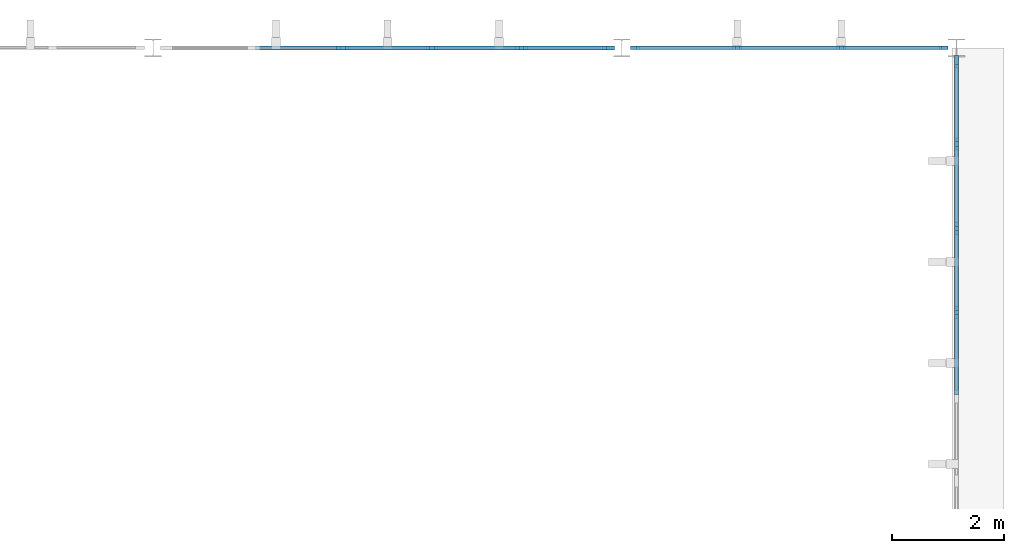
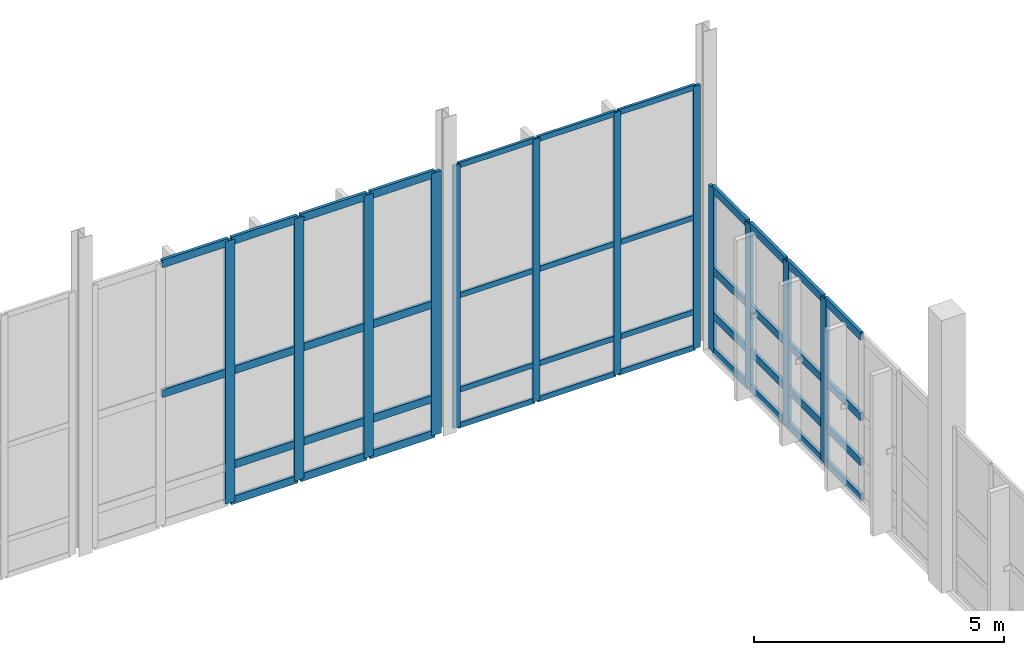
# One storey, part 32 of 67: 54 members, 3 elements without a shape of their own.
"""IFC4 building model written with IfcOpenShell, lengths in metres."""

from ifc_helpers import new_model, si_unit, direction, frame, origin, origin_2d, place, context, subcontext, project, spatial, rectangle, extrude, material, material_profile, profile_set, type_object, element, aggregate, save


model = new_model("IFC4")

# Units and contexts
model_context = context("Model", 3, precision=1e-05, world=origin(), true_north=direction((0.0, 1.0)))
body_context = subcontext(model_context, "Body", "Model", "MODEL_VIEW")
ifc_project = project(units=[si_unit("LENGTHUNIT", "METRE"), si_unit("AREAUNIT", "SQUARE_METRE"), si_unit("VOLUMEUNIT", "CUBIC_METRE"), si_unit("PLANEANGLEUNIT", "RADIAN"), si_unit("MASSUNIT", "GRAM", prefix="KILO")], contexts=[model_context])

# Site, building, storey
site_placement = place(None, origin())
site = spatial("IfcSite", under=ifc_project, at=site_placement, CompositionType="ELEMENT")
building_placement = place(site_placement, origin())
building = spatial("IfcBuilding", under=site, at=building_placement, Name="Tizgana Railside Sports Hall", CompositionType="ELEMENT")
storey_placement = place(building_placement, frame((0.0, 0.0, 12.0)))
storey = spatial("IfcBuildingStorey", under=building, at=storey_placement, Name="L02", CompositionType="ELEMENT", Elevation=12.0)

# Curtain wall, members
ifc_material_1 = material(Name="Anodised aluminium and glass", Category="aluminium")
curtain_wall_type_1 = type_object("IfcCurtainWallType", Name="Unitised Curtain Wall EastHall 1500", PredefinedType="NOTDEFINED", material=ifc_material_1)
curtain_wall_1_placement = place(storey_placement, origin())
curtain_wall_1 = element("IfcCurtainWall", 1, at=curtain_wall_1_placement, inside=storey, type_object=curtain_wall_type_1, Name="L02 Curtain Wall CW-0055", PredefinedType="NOTDEFINED")
ifc_material_2 = material(Name="Anodised aluminium", Category="aluminium")
ifc_material_profile_1 = material_profile(ifc_material_2, rectangle(XDim=0.06005859375, YDim=0.159912109375, at=origin_2d()), Name="Mullion 60x160")
ifc_profile_set_1 = profile_set([ifc_material_profile_1], Name="Anodised aluminium")
member_type_1 = type_object("IfcMemberType", Name="Mullion 60x160", PredefinedType="MULLION", material=ifc_profile_set_1)
member_1_placement = place(storey_placement, frame((166.43505859375, 117.60009765625, 0.0), z_axis=(0.0, 0.0, 1.0), x_axis=(0.0, 1.0, 0.0)))
member_1 = element("IfcMember", 2, at=member_1_placement, type_object=member_type_1, Name="CW-08 mullion 1", PredefinedType="MULLION", context=body_context, shape_type="SweptSolid", body=[
    extrude(rectangle(XDim=0.06005859375, YDim=0.159912109375, at=origin_2d()), origin(), (0.0, 0.0, 1.0), 6.39990234375),
])
member_2_placement = place(storey_placement, frame((168.268310546875, 117.60009765625, 0.0), z_axis=(0.0, 0.0, 1.0), x_axis=(0.0, 1.0, 0.0)))
member_2 = element("IfcMember", 3, at=member_2_placement, type_object=member_type_1, Name="CW-08 mullion 2", PredefinedType="MULLION", context=body_context, shape_type="SweptSolid", body=[
    extrude(rectangle(XDim=0.06005859375, YDim=0.159912109375, at=origin_2d()), origin(), (0.0, 0.0, 1.0), 6.39990234375),
])
member_3_placement = place(storey_placement, frame((170.131591796875, 117.60009765625, 0.0), z_axis=(0.0, 0.0, 1.0), x_axis=(0.0, 1.0, 0.0)))
member_3 = element("IfcMember", 4, at=member_3_placement, type_object=member_type_1, Name="CW-08 mullion 3", PredefinedType="MULLION", context=body_context, shape_type="SweptSolid", body=[
    extrude(rectangle(XDim=0.06005859375, YDim=0.159912109375, at=origin_2d()), origin(), (0.0, 0.0, 1.0), 6.39990234375),
])
member_4_placement = place(storey_placement, frame((171.965087890625, 117.60009765625, 0.0), z_axis=(0.0, 0.0, 1.0), x_axis=(0.0, 1.0, 0.0)))
member_4 = element("IfcMember", 5, at=member_4_placement, type_object=member_type_1, Name="CW-08 mullion 4", PredefinedType="MULLION", context=body_context, shape_type="SweptSolid", body=[
    extrude(rectangle(XDim=0.06005859375, YDim=0.159912109375, at=origin_2d()), origin(), (0.0, 0.0, 1.0), 6.39990234375),
])

curtain_wall_type_2 = type_object("IfcCurtainWallType", Name="Unitised Curtain Wall Clinic 1200", PredefinedType="NOTDEFINED", material=ifc_material_1)
curtain_wall_2_placement = place(storey_placement, origin())
curtain_wall_2 = element("IfcCurtainWall", 6, at=curtain_wall_2_placement, inside=storey, type_object=curtain_wall_type_2, Name="L02 Curtain Wall CW-0052", PredefinedType="NOTDEFINED")
ifc_material_profile_2 = material_profile(ifc_material_2, rectangle(XDim=0.070068359375, YDim=0.219970703125, at=origin_2d()), Name="Mullion 70x220")
ifc_profile_set_2 = profile_set([ifc_material_profile_2], Name="Anodised aluminium")
member_type_2 = type_object("IfcMemberType", Name="Mullion 70x220", PredefinedType="MULLION", material=ifc_profile_set_2)
member_5_placement = place(storey_placement, frame((161.200927734375, 117.60009765625, 0.0), z_axis=(0.0, 0.0, 1.0), x_axis=(0.0, 1.0, 0.0)))
member_5 = element("IfcMember", 7, at=member_5_placement, type_object=member_type_2, Name="CW-05 mullion 3", PredefinedType="MULLION", context=body_context, shape_type="SweptSolid", body=[
    extrude(rectangle(XDim=0.070068359375, YDim=0.219970703125, at=origin_2d()), origin(), (0.0, 0.0, 1.0), 6.39990234375),
])
member_6_placement = place(storey_placement, frame((162.799072265625, 117.60009765625, 0.0), z_axis=(0.0, 0.0, 1.0), x_axis=(0.0, 1.0, 0.0)))
member_6 = element("IfcMember", 8, at=member_6_placement, type_object=member_type_2, Name="CW-05 mullion 4", PredefinedType="MULLION", context=body_context, shape_type="SweptSolid", body=[
    extrude(rectangle(XDim=0.070068359375, YDim=0.219970703125, at=origin_2d()), origin(), (0.0, 0.0, 1.0), 6.39990234375),
])
member_7_placement = place(storey_placement, frame((164.39697265625, 117.60009765625, 0.0), z_axis=(0.0, 0.0, 1.0), x_axis=(0.0, 1.0, 0.0)))
member_7 = element("IfcMember", 9, at=member_7_placement, type_object=member_type_2, Name="CW-05 mullion 5", PredefinedType="MULLION", context=body_context, shape_type="SweptSolid", body=[
    extrude(rectangle(XDim=0.070068359375, YDim=0.219970703125, at=origin_2d()), origin(), (0.0, 0.0, 1.0), 6.39990234375),
])
member_8_placement = place(storey_placement, frame((165.9599609375, 117.60009765625, 0.0), z_axis=(0.0, 0.0, 1.0), x_axis=(0.0, 1.0, 0.0)))
member_8 = element("IfcMember", 10, at=member_8_placement, type_object=member_type_2, Name="CW-05 mullion 6", PredefinedType="MULLION", context=body_context, shape_type="SweptSolid", body=[
    extrude(rectangle(XDim=0.070068359375, YDim=0.219970703125, at=origin_2d()), origin(), (0.0, 0.0, 1.0), 6.39990234375),
])

curtain_wall_type_3 = type_object("IfcCurtainWallType", Name="Unitised Curtain Wall WestHall 1560", PredefinedType="NOTDEFINED", material=ifc_material_1)
curtain_wall_3_placement = place(storey_placement, origin())
curtain_wall_3 = element("IfcCurtainWall", 11, at=curtain_wall_3_placement, inside=storey, type_object=curtain_wall_type_3, Name="L02 Curtain Wall CW-0070", PredefinedType="NOTDEFINED")
member_9_placement = place(storey_placement, frame((172.199951171875, 112.857421875, 0.0), z_axis=(0.0, 0.0, 1.0), x_axis=(-1.0, 0.0, 0.0)))
member_9 = element("IfcMember", 12, at=member_9_placement, type_object=member_type_2, Name="CW-07 mullion 4", PredefinedType="MULLION", context=body_context, shape_type="SweptSolid", body=[
    extrude(rectangle(XDim=0.070068359375, YDim=0.219970703125, at=origin_2d()), origin(), (0.0, 0.0, 1.0), 4.0),
])
member_10_placement = place(storey_placement, frame((172.199951171875, 114.36669921875, 0.0), z_axis=(0.0, 0.0, 1.0), x_axis=(-1.0, 0.0, 0.0)))
member_10 = element("IfcMember", 13, at=member_10_placement, type_object=member_type_2, Name="CW-07 mullion 5", PredefinedType="MULLION", context=body_context, shape_type="SweptSolid", body=[
    extrude(rectangle(XDim=0.070068359375, YDim=0.219970703125, at=origin_2d()), origin(), (0.0, 0.0, 1.0), 4.0),
])
member_11_placement = place(storey_placement, frame((172.199951171875, 115.875732421875, 0.0), z_axis=(0.0, 0.0, 1.0), x_axis=(-1.0, 0.0, 0.0)))
member_11 = element("IfcMember", 14, at=member_11_placement, type_object=member_type_2, Name="CW-07 mullion 6", PredefinedType="MULLION", context=body_context, shape_type="SweptSolid", body=[
    extrude(rectangle(XDim=0.070068359375, YDim=0.219970703125, at=origin_2d()), origin(), (0.0, 0.0, 1.0), 4.0),
])
member_12_placement = place(storey_placement, frame((172.199951171875, 117.35009765625, 0.0), z_axis=(0.0, 0.0, 1.0), x_axis=(-1.0, 0.0, 0.0)))
member_12 = element("IfcMember", 15, at=member_12_placement, type_object=member_type_2, Name="CW-07 mullion 7", PredefinedType="MULLION", context=body_context, shape_type="SweptSolid", body=[
    extrude(rectangle(XDim=0.070068359375, YDim=0.219970703125, at=origin_2d()), origin(), (0.0, 0.0, 1.0), 4.0),
])

# Member
ifc_material_profile_3 = material_profile(ifc_material_2, rectangle(XDim=0.06005859375, YDim=0.1298828125, at=origin_2d()), Name="Transom 60x130")
ifc_profile_set_3 = profile_set([ifc_material_profile_3], Name="Anodised aluminium")
member_type_3 = type_object("IfcMemberType", Name="Transom 60x130", PredefinedType="USERDEFINED", material=ifc_profile_set_3)
member_13_placement = place(storey_placement, frame((166.465087890625, 117.60009765625, 0.030029296875), z_axis=(1.0, 0.0, 0.0), x_axis=(0.0, 1.0, 0.0)))
member_13 = element("IfcMember", 16, at=member_13_placement, type_object=member_type_3, Name="CW-08 transom 1.1", ObjectType="TRANSOM", PredefinedType="USERDEFINED", context=body_context, shape_type="SweptSolid", body=[
    extrude(rectangle(XDim=0.06005859375, YDim=0.1298828125, at=origin_2d()), origin(), (0.0, 0.0, 1.0), 1.773193359375),
])

member_14_placement = place(storey_placement, frame((166.465087890625, 117.60009765625, 0.89990234375), z_axis=(1.0, 0.0, 0.0), x_axis=(0.0, 1.0, 0.0)))
member_14 = element("IfcMember", 17, at=member_14_placement, type_object=member_type_3, Name="CW-08 transom 1.2", ObjectType="TRANSOM", PredefinedType="USERDEFINED", context=body_context, shape_type="SweptSolid", body=[
    extrude(rectangle(XDim=0.06005859375, YDim=0.1298828125, at=origin_2d()), origin(), (0.0, 0.0, 1.0), 1.773193359375),
])

member_15_placement = place(storey_placement, frame((166.465087890625, 117.60009765625, 3.199951171875), z_axis=(1.0, 0.0, 0.0), x_axis=(0.0, 1.0, 0.0)))
member_15 = element("IfcMember", 18, at=member_15_placement, type_object=member_type_3, Name="CW-08 transom 1.3", ObjectType="TRANSOM", PredefinedType="USERDEFINED", context=body_context, shape_type="SweptSolid", body=[
    extrude(rectangle(XDim=0.06005859375, YDim=0.1298828125, at=origin_2d()), origin(), (0.0, 0.0, 1.0), 1.773193359375),
])

member_16_placement = place(storey_placement, frame((166.465087890625, 117.60009765625, 6.3701171875), z_axis=(1.0, 0.0, 0.0), x_axis=(0.0, 1.0, 0.0)))
member_16 = element("IfcMember", 19, at=member_16_placement, type_object=member_type_3, Name="CW-08 transom 1.4", ObjectType="TRANSOM", PredefinedType="USERDEFINED", context=body_context, shape_type="SweptSolid", body=[
    extrude(rectangle(XDim=0.06005859375, YDim=0.1298828125, at=origin_2d()), origin(), (0.0, 0.0, 1.0), 1.773193359375),
])

member_17_placement = place(storey_placement, frame((168.29833984375, 117.60009765625, 0.030029296875), z_axis=(1.0, 0.0, 0.0), x_axis=(0.0, 1.0, 0.0)))
member_17 = element("IfcMember", 20, at=member_17_placement, type_object=member_type_3, Name="CW-08 transom 2.1", ObjectType="TRANSOM", PredefinedType="USERDEFINED", context=body_context, shape_type="SweptSolid", body=[
    extrude(rectangle(XDim=0.06005859375, YDim=0.1298828125, at=origin_2d()), origin(), (0.0, 0.0, 1.0), 1.80322265625),
])

member_18_placement = place(storey_placement, frame((168.29833984375, 117.60009765625, 0.89990234375), z_axis=(1.0, 0.0, 0.0), x_axis=(0.0, 1.0, 0.0)))
member_18 = element("IfcMember", 21, at=member_18_placement, type_object=member_type_3, Name="CW-08 transom 2.2", ObjectType="TRANSOM", PredefinedType="USERDEFINED", context=body_context, shape_type="SweptSolid", body=[
    extrude(rectangle(XDim=0.06005859375, YDim=0.1298828125, at=origin_2d()), origin(), (0.0, 0.0, 1.0), 1.80322265625),
])

member_19_placement = place(storey_placement, frame((168.29833984375, 117.60009765625, 3.199951171875), z_axis=(1.0, 0.0, 0.0), x_axis=(0.0, 1.0, 0.0)))
member_19 = element("IfcMember", 22, at=member_19_placement, type_object=member_type_3, Name="CW-08 transom 2.3", ObjectType="TRANSOM", PredefinedType="USERDEFINED", context=body_context, shape_type="SweptSolid", body=[
    extrude(rectangle(XDim=0.06005859375, YDim=0.1298828125, at=origin_2d()), origin(), (0.0, 0.0, 1.0), 1.80322265625),
])

member_20_placement = place(storey_placement, frame((168.29833984375, 117.60009765625, 6.3701171875), z_axis=(1.0, 0.0, 0.0), x_axis=(0.0, 1.0, 0.0)))
member_20 = element("IfcMember", 23, at=member_20_placement, type_object=member_type_3, Name="CW-08 transom 2.4", ObjectType="TRANSOM", PredefinedType="USERDEFINED", context=body_context, shape_type="SweptSolid", body=[
    extrude(rectangle(XDim=0.06005859375, YDim=0.1298828125, at=origin_2d()), origin(), (0.0, 0.0, 1.0), 1.80322265625),
])

member_21_placement = place(storey_placement, frame((170.16162109375, 117.60009765625, 0.030029296875), z_axis=(1.0, 0.0, 0.0), x_axis=(0.0, 1.0, 0.0)))
member_21 = element("IfcMember", 24, at=member_21_placement, type_object=member_type_3, Name="CW-08 transom 3.1", ObjectType="TRANSOM", PredefinedType="USERDEFINED", context=body_context, shape_type="SweptSolid", body=[
    extrude(rectangle(XDim=0.06005859375, YDim=0.1298828125, at=origin_2d()), origin(), (0.0, 0.0, 1.0), 1.7734375),
])

member_22_placement = place(storey_placement, frame((170.16162109375, 117.60009765625, 0.89990234375), z_axis=(1.0, 0.0, 0.0), x_axis=(0.0, 1.0, 0.0)))
member_22 = element("IfcMember", 25, at=member_22_placement, type_object=member_type_3, Name="CW-08 transom 3.2", ObjectType="TRANSOM", PredefinedType="USERDEFINED", context=body_context, shape_type="SweptSolid", body=[
    extrude(rectangle(XDim=0.06005859375, YDim=0.1298828125, at=origin_2d()), origin(), (0.0, 0.0, 1.0), 1.7734375),
])

member_23_placement = place(storey_placement, frame((170.16162109375, 117.60009765625, 3.199951171875), z_axis=(1.0, 0.0, 0.0), x_axis=(0.0, 1.0, 0.0)))
member_23 = element("IfcMember", 26, at=member_23_placement, type_object=member_type_3, Name="CW-08 transom 3.3", ObjectType="TRANSOM", PredefinedType="USERDEFINED", context=body_context, shape_type="SweptSolid", body=[
    extrude(rectangle(XDim=0.06005859375, YDim=0.1298828125, at=origin_2d()), origin(), (0.0, 0.0, 1.0), 1.7734375),
])

member_24_placement = place(storey_placement, frame((170.16162109375, 117.60009765625, 6.3701171875), z_axis=(1.0, 0.0, 0.0), x_axis=(0.0, 1.0, 0.0)))
member_24 = element("IfcMember", 27, at=member_24_placement, type_object=member_type_3, Name="CW-08 transom 3.4", ObjectType="TRANSOM", PredefinedType="USERDEFINED", context=body_context, shape_type="SweptSolid", body=[
    extrude(rectangle(XDim=0.06005859375, YDim=0.1298828125, at=origin_2d()), origin(), (0.0, 0.0, 1.0), 1.7734375),
])

aggregate(curtain_wall_1, [member_1, member_2, member_3, member_4, member_13, member_14, member_15, member_16, member_17, member_18, member_19, member_20, member_21, member_22, member_23, member_24])

ifc_material_profile_4 = material_profile(ifc_material_2, rectangle(XDim=0.070068359375, YDim=0.18994140625, at=origin_2d()), Name="Transom 70x190")
ifc_profile_set_4 = profile_set([ifc_material_profile_4], Name="Anodised aluminium")
member_type_4 = type_object("IfcMemberType", Name="Transom 70x190", PredefinedType="USERDEFINED", material=ifc_profile_set_4)
member_25_placement = place(storey_placement, frame((159.637939453125, 117.60009765625, 3.199951171875), z_axis=(1.0, 0.0, 0.0), x_axis=(0.0, 1.0, 0.0)))
member_25 = element("IfcMember", 28, at=member_25_placement, type_object=member_type_4, Name="CW-05 transom 2.3", ObjectType="TRANSOM", PredefinedType="USERDEFINED", context=body_context, shape_type="SweptSolid", body=[
    extrude(rectangle(XDim=0.070068359375, YDim=0.18994140625, at=origin_2d()), origin(), (0.0, 0.0, 1.0), 1.528076171875),
])

member_26_placement = place(storey_placement, frame((159.637939453125, 117.60009765625, 6.364990234375), z_axis=(1.0, 0.0, 0.0), x_axis=(0.0, 1.0, 0.0)))
member_26 = element("IfcMember", 29, at=member_26_placement, type_object=member_type_4, Name="CW-05 transom 2.4", ObjectType="TRANSOM", PredefinedType="USERDEFINED", context=body_context, shape_type="SweptSolid", body=[
    extrude(rectangle(XDim=0.070068359375, YDim=0.18994140625, at=origin_2d()), origin(), (0.0, 0.0, 1.0), 1.528076171875),
])

member_27_placement = place(storey_placement, frame((161.236083984375, 117.60009765625, 0.034912109375), z_axis=(1.0, 0.0, 0.0), x_axis=(0.0, 1.0, 0.0)))
member_27 = element("IfcMember", 30, at=member_27_placement, type_object=member_type_4, Name="CW-05 transom 3.1", ObjectType="TRANSOM", PredefinedType="USERDEFINED", context=body_context, shape_type="SweptSolid", body=[
    extrude(rectangle(XDim=0.070068359375, YDim=0.18994140625, at=origin_2d()), origin(), (0.0, 0.0, 1.0), 1.52783203125),
])

member_28_placement = place(storey_placement, frame((161.236083984375, 117.60009765625, 0.89990234375), z_axis=(1.0, 0.0, 0.0), x_axis=(0.0, 1.0, 0.0)))
member_28 = element("IfcMember", 31, at=member_28_placement, type_object=member_type_4, Name="CW-05 transom 3.2", ObjectType="TRANSOM", PredefinedType="USERDEFINED", context=body_context, shape_type="SweptSolid", body=[
    extrude(rectangle(XDim=0.070068359375, YDim=0.18994140625, at=origin_2d()), origin(), (0.0, 0.0, 1.0), 1.52783203125),
])

member_29_placement = place(storey_placement, frame((161.236083984375, 117.60009765625, 3.199951171875), z_axis=(1.0, 0.0, 0.0), x_axis=(0.0, 1.0, 0.0)))
member_29 = element("IfcMember", 32, at=member_29_placement, type_object=member_type_4, Name="CW-05 transom 3.3", ObjectType="TRANSOM", PredefinedType="USERDEFINED", context=body_context, shape_type="SweptSolid", body=[
    extrude(rectangle(XDim=0.070068359375, YDim=0.18994140625, at=origin_2d()), origin(), (0.0, 0.0, 1.0), 1.52783203125),
])

member_30_placement = place(storey_placement, frame((161.236083984375, 117.60009765625, 6.364990234375), z_axis=(1.0, 0.0, 0.0), x_axis=(0.0, 1.0, 0.0)))
member_30 = element("IfcMember", 33, at=member_30_placement, type_object=member_type_4, Name="CW-05 transom 3.4", ObjectType="TRANSOM", PredefinedType="USERDEFINED", context=body_context, shape_type="SweptSolid", body=[
    extrude(rectangle(XDim=0.070068359375, YDim=0.18994140625, at=origin_2d()), origin(), (0.0, 0.0, 1.0), 1.52783203125),
])

member_31_placement = place(storey_placement, frame((162.833984375, 117.60009765625, 0.034912109375), z_axis=(1.0, 0.0, 0.0), x_axis=(0.0, 1.0, 0.0)))
member_31 = element("IfcMember", 34, at=member_31_placement, type_object=member_type_4, Name="CW-05 transom 4.1", ObjectType="TRANSOM", PredefinedType="USERDEFINED", context=body_context, shape_type="SweptSolid", body=[
    extrude(rectangle(XDim=0.070068359375, YDim=0.18994140625, at=origin_2d()), origin(), (0.0, 0.0, 1.0), 1.528076171875),
])

member_32_placement = place(storey_placement, frame((162.833984375, 117.60009765625, 0.89990234375), z_axis=(1.0, 0.0, 0.0), x_axis=(0.0, 1.0, 0.0)))
member_32 = element("IfcMember", 35, at=member_32_placement, type_object=member_type_4, Name="CW-05 transom 4.2", ObjectType="TRANSOM", PredefinedType="USERDEFINED", context=body_context, shape_type="SweptSolid", body=[
    extrude(rectangle(XDim=0.070068359375, YDim=0.18994140625, at=origin_2d()), origin(), (0.0, 0.0, 1.0), 1.528076171875),
])

member_33_placement = place(storey_placement, frame((162.833984375, 117.60009765625, 3.199951171875), z_axis=(1.0, 0.0, 0.0), x_axis=(0.0, 1.0, 0.0)))
member_33 = element("IfcMember", 36, at=member_33_placement, type_object=member_type_4, Name="CW-05 transom 4.3", ObjectType="TRANSOM", PredefinedType="USERDEFINED", context=body_context, shape_type="SweptSolid", body=[
    extrude(rectangle(XDim=0.070068359375, YDim=0.18994140625, at=origin_2d()), origin(), (0.0, 0.0, 1.0), 1.528076171875),
])

member_34_placement = place(storey_placement, frame((162.833984375, 117.60009765625, 6.364990234375), z_axis=(1.0, 0.0, 0.0), x_axis=(0.0, 1.0, 0.0)))
member_34 = element("IfcMember", 37, at=member_34_placement, type_object=member_type_4, Name="CW-05 transom 4.4", ObjectType="TRANSOM", PredefinedType="USERDEFINED", context=body_context, shape_type="SweptSolid", body=[
    extrude(rectangle(XDim=0.070068359375, YDim=0.18994140625, at=origin_2d()), origin(), (0.0, 0.0, 1.0), 1.528076171875),
])

member_35_placement = place(storey_placement, frame((164.431884765625, 117.60009765625, 0.034912109375), z_axis=(1.0, 0.0, 0.0), x_axis=(0.0, 1.0, 0.0)))
member_35 = element("IfcMember", 38, at=member_35_placement, type_object=member_type_4, Name="CW-05 transom 5.1", ObjectType="TRANSOM", PredefinedType="USERDEFINED", context=body_context, shape_type="SweptSolid", body=[
    extrude(rectangle(XDim=0.070068359375, YDim=0.18994140625, at=origin_2d()), origin(), (0.0, 0.0, 1.0), 1.4931640625),
])

member_36_placement = place(storey_placement, frame((164.431884765625, 117.60009765625, 0.89990234375), z_axis=(1.0, 0.0, 0.0), x_axis=(0.0, 1.0, 0.0)))
member_36 = element("IfcMember", 39, at=member_36_placement, type_object=member_type_4, Name="CW-05 transom 5.2", ObjectType="TRANSOM", PredefinedType="USERDEFINED", context=body_context, shape_type="SweptSolid", body=[
    extrude(rectangle(XDim=0.070068359375, YDim=0.18994140625, at=origin_2d()), origin(), (0.0, 0.0, 1.0), 1.4931640625),
])

member_37_placement = place(storey_placement, frame((164.431884765625, 117.60009765625, 3.199951171875), z_axis=(1.0, 0.0, 0.0), x_axis=(0.0, 1.0, 0.0)))
member_37 = element("IfcMember", 40, at=member_37_placement, type_object=member_type_4, Name="CW-05 transom 5.3", ObjectType="TRANSOM", PredefinedType="USERDEFINED", context=body_context, shape_type="SweptSolid", body=[
    extrude(rectangle(XDim=0.070068359375, YDim=0.18994140625, at=origin_2d()), origin(), (0.0, 0.0, 1.0), 1.4931640625),
])

member_38_placement = place(storey_placement, frame((164.431884765625, 117.60009765625, 6.364990234375), z_axis=(1.0, 0.0, 0.0), x_axis=(0.0, 1.0, 0.0)))
member_38 = element("IfcMember", 41, at=member_38_placement, type_object=member_type_4, Name="CW-05 transom 5.4", ObjectType="TRANSOM", PredefinedType="USERDEFINED", context=body_context, shape_type="SweptSolid", body=[
    extrude(rectangle(XDim=0.070068359375, YDim=0.18994140625, at=origin_2d()), origin(), (0.0, 0.0, 1.0), 1.4931640625),
])

aggregate(curtain_wall_2, [member_5, member_6, member_7, member_8, member_25, member_26, member_27, member_28, member_29, member_30, member_31, member_32, member_33, member_34, member_35, member_36, member_37, member_38])

member_39_placement = place(storey_placement, frame((172.199951171875, 111.38330078125, 0.034912109375), z_axis=(0.0, 1.0, 0.0), x_axis=(-1.0, 0.0, 0.0)))
member_39 = element("IfcMember", 42, at=member_39_placement, type_object=member_type_4, Name="CW-07 transom 3.1", ObjectType="TRANSOM", PredefinedType="USERDEFINED", context=body_context, shape_type="SweptSolid", body=[
    extrude(rectangle(XDim=0.070068359375, YDim=0.18994140625, at=origin_2d()), origin(), (0.0, 0.0, 1.0), 1.439208984375),
])

member_40_placement = place(storey_placement, frame((172.199951171875, 111.38330078125, 0.89990234375), z_axis=(0.0, 1.0, 0.0), x_axis=(-1.0, 0.0, 0.0)))
member_40 = element("IfcMember", 43, at=member_40_placement, type_object=member_type_4, Name="CW-07 transom 3.2", ObjectType="TRANSOM", PredefinedType="USERDEFINED", context=body_context, shape_type="SweptSolid", body=[
    extrude(rectangle(XDim=0.070068359375, YDim=0.18994140625, at=origin_2d()), origin(), (0.0, 0.0, 1.0), 1.439208984375),
])

member_41_placement = place(storey_placement, frame((172.199951171875, 111.38330078125, 2.0), z_axis=(0.0, 1.0, 0.0), x_axis=(-1.0, 0.0, 0.0)))
member_41 = element("IfcMember", 44, at=member_41_placement, type_object=member_type_4, Name="CW-07 transom 3.3", ObjectType="TRANSOM", PredefinedType="USERDEFINED", context=body_context, shape_type="SweptSolid", body=[
    extrude(rectangle(XDim=0.070068359375, YDim=0.18994140625, at=origin_2d()), origin(), (0.0, 0.0, 1.0), 1.439208984375),
])

member_42_placement = place(storey_placement, frame((172.199951171875, 111.38330078125, 3.965087890625), z_axis=(0.0, 1.0, 0.0), x_axis=(-1.0, 0.0, 0.0)))
member_42 = element("IfcMember", 45, at=member_42_placement, type_object=member_type_4, Name="CW-07 transom 3.4", ObjectType="TRANSOM", PredefinedType="USERDEFINED", context=body_context, shape_type="SweptSolid", body=[
    extrude(rectangle(XDim=0.070068359375, YDim=0.18994140625, at=origin_2d()), origin(), (0.0, 0.0, 1.0), 1.439208984375),
])

member_43_placement = place(storey_placement, frame((172.199951171875, 112.892578125, 0.034912109375), z_axis=(0.0, 1.0, 0.0), x_axis=(-1.0, 0.0, 0.0)))
member_43 = element("IfcMember", 46, at=member_43_placement, type_object=member_type_4, Name="CW-07 transom 4.1", ObjectType="TRANSOM", PredefinedType="USERDEFINED", context=body_context, shape_type="SweptSolid", body=[
    extrude(rectangle(XDim=0.070068359375, YDim=0.18994140625, at=origin_2d()), origin(), (0.0, 0.0, 1.0), 1.439208984375),
])

member_44_placement = place(storey_placement, frame((172.199951171875, 112.892578125, 0.89990234375), z_axis=(0.0, 1.0, 0.0), x_axis=(-1.0, 0.0, 0.0)))
member_44 = element("IfcMember", 47, at=member_44_placement, type_object=member_type_4, Name="CW-07 transom 4.2", ObjectType="TRANSOM", PredefinedType="USERDEFINED", context=body_context, shape_type="SweptSolid", body=[
    extrude(rectangle(XDim=0.070068359375, YDim=0.18994140625, at=origin_2d()), origin(), (0.0, 0.0, 1.0), 1.439208984375),
])

member_45_placement = place(storey_placement, frame((172.199951171875, 112.892578125, 2.0), z_axis=(0.0, 1.0, 0.0), x_axis=(-1.0, 0.0, 0.0)))
member_45 = element("IfcMember", 48, at=member_45_placement, type_object=member_type_4, Name="CW-07 transom 4.3", ObjectType="TRANSOM", PredefinedType="USERDEFINED", context=body_context, shape_type="SweptSolid", body=[
    extrude(rectangle(XDim=0.070068359375, YDim=0.18994140625, at=origin_2d()), origin(), (0.0, 0.0, 1.0), 1.439208984375),
])

member_46_placement = place(storey_placement, frame((172.199951171875, 112.892578125, 3.965087890625), z_axis=(0.0, 1.0, 0.0), x_axis=(-1.0, 0.0, 0.0)))
member_46 = element("IfcMember", 49, at=member_46_placement, type_object=member_type_4, Name="CW-07 transom 4.4", ObjectType="TRANSOM", PredefinedType="USERDEFINED", context=body_context, shape_type="SweptSolid", body=[
    extrude(rectangle(XDim=0.070068359375, YDim=0.18994140625, at=origin_2d()), origin(), (0.0, 0.0, 1.0), 1.439208984375),
])

member_47_placement = place(storey_placement, frame((172.199951171875, 114.401611328125, 0.034912109375), z_axis=(0.0, 1.0, 0.0), x_axis=(-1.0, 0.0, 0.0)))
member_47 = element("IfcMember", 50, at=member_47_placement, type_object=member_type_4, Name="CW-07 transom 5.1", ObjectType="TRANSOM", PredefinedType="USERDEFINED", context=body_context, shape_type="SweptSolid", body=[
    extrude(rectangle(XDim=0.070068359375, YDim=0.18994140625, at=origin_2d()), origin(), (0.0, 0.0, 1.0), 1.439208984375),
])

member_48_placement = place(storey_placement, frame((172.199951171875, 114.401611328125, 0.89990234375), z_axis=(0.0, 1.0, 0.0), x_axis=(-1.0, 0.0, 0.0)))
member_48 = element("IfcMember", 51, at=member_48_placement, type_object=member_type_4, Name="CW-07 transom 5.2", ObjectType="TRANSOM", PredefinedType="USERDEFINED", context=body_context, shape_type="SweptSolid", body=[
    extrude(rectangle(XDim=0.070068359375, YDim=0.18994140625, at=origin_2d()), origin(), (0.0, 0.0, 1.0), 1.439208984375),
])

member_49_placement = place(storey_placement, frame((172.199951171875, 114.401611328125, 2.0), z_axis=(0.0, 1.0, 0.0), x_axis=(-1.0, 0.0, 0.0)))
member_49 = element("IfcMember", 52, at=member_49_placement, type_object=member_type_4, Name="CW-07 transom 5.3", ObjectType="TRANSOM", PredefinedType="USERDEFINED", context=body_context, shape_type="SweptSolid", body=[
    extrude(rectangle(XDim=0.070068359375, YDim=0.18994140625, at=origin_2d()), origin(), (0.0, 0.0, 1.0), 1.439208984375),
])

member_50_placement = place(storey_placement, frame((172.199951171875, 114.401611328125, 3.965087890625), z_axis=(0.0, 1.0, 0.0), x_axis=(-1.0, 0.0, 0.0)))
member_50 = element("IfcMember", 53, at=member_50_placement, type_object=member_type_4, Name="CW-07 transom 5.4", ObjectType="TRANSOM", PredefinedType="USERDEFINED", context=body_context, shape_type="SweptSolid", body=[
    extrude(rectangle(XDim=0.070068359375, YDim=0.18994140625, at=origin_2d()), origin(), (0.0, 0.0, 1.0), 1.439208984375),
])

member_51_placement = place(storey_placement, frame((172.199951171875, 115.910888671875, 0.034912109375), z_axis=(0.0, 1.0, 0.0), x_axis=(-1.0, 0.0, 0.0)))
member_51 = element("IfcMember", 54, at=member_51_placement, type_object=member_type_4, Name="CW-07 transom 6.1", ObjectType="TRANSOM", PredefinedType="USERDEFINED", context=body_context, shape_type="SweptSolid", body=[
    extrude(rectangle(XDim=0.070068359375, YDim=0.18994140625, at=origin_2d()), origin(), (0.0, 0.0, 1.0), 1.404052734375),
])

member_52_placement = place(storey_placement, frame((172.199951171875, 115.910888671875, 0.89990234375), z_axis=(0.0, 1.0, 0.0), x_axis=(-1.0, 0.0, 0.0)))
member_52 = element("IfcMember", 55, at=member_52_placement, type_object=member_type_4, Name="CW-07 transom 6.2", ObjectType="TRANSOM", PredefinedType="USERDEFINED", context=body_context, shape_type="SweptSolid", body=[
    extrude(rectangle(XDim=0.070068359375, YDim=0.18994140625, at=origin_2d()), origin(), (0.0, 0.0, 1.0), 1.404052734375),
])

member_53_placement = place(storey_placement, frame((172.199951171875, 115.910888671875, 2.0), z_axis=(0.0, 1.0, 0.0), x_axis=(-1.0, 0.0, 0.0)))
member_53 = element("IfcMember", 56, at=member_53_placement, type_object=member_type_4, Name="CW-07 transom 6.3", ObjectType="TRANSOM", PredefinedType="USERDEFINED", context=body_context, shape_type="SweptSolid", body=[
    extrude(rectangle(XDim=0.070068359375, YDim=0.18994140625, at=origin_2d()), origin(), (0.0, 0.0, 1.0), 1.404052734375),
])

member_54_placement = place(storey_placement, frame((172.199951171875, 115.910888671875, 3.965087890625), z_axis=(0.0, 1.0, 0.0), x_axis=(-1.0, 0.0, 0.0)))
member_54 = element("IfcMember", 57, at=member_54_placement, type_object=member_type_4, Name="CW-07 transom 6.4", ObjectType="TRANSOM", PredefinedType="USERDEFINED", context=body_context, shape_type="SweptSolid", body=[
    extrude(rectangle(XDim=0.070068359375, YDim=0.18994140625, at=origin_2d()), origin(), (0.0, 0.0, 1.0), 1.404052734375),
])

aggregate(curtain_wall_3, [member_9, member_10, member_11, member_12, member_39, member_40, member_41, member_42, member_43, member_44, member_45, member_46, member_47, member_48, member_49, member_50, member_51, member_52, member_53, member_54])

save(model, "model.ifc")
